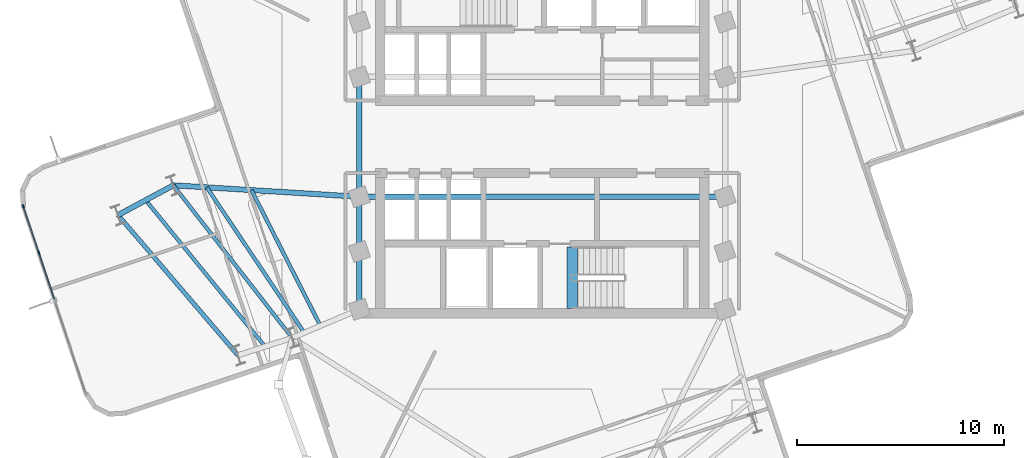
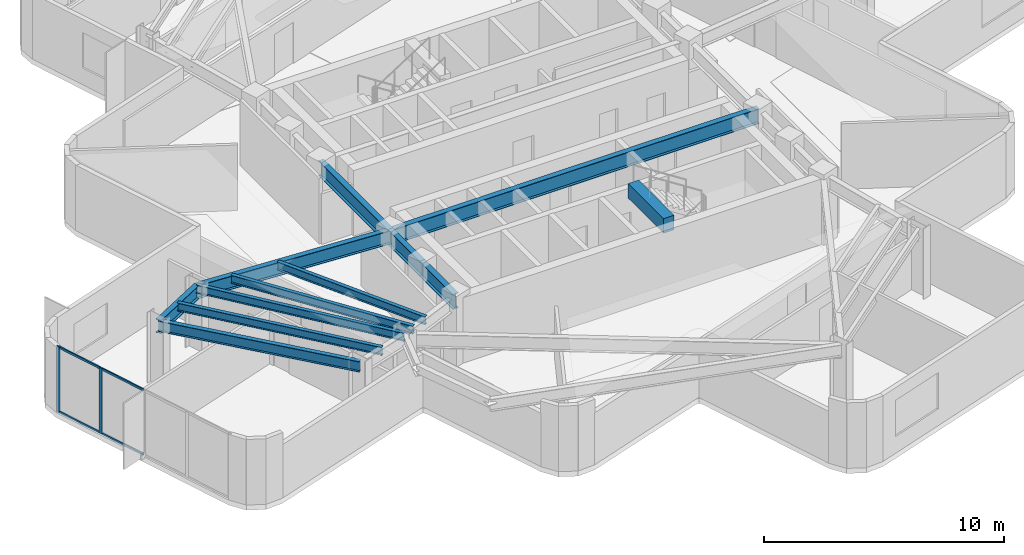
# One storey, part 3 of 12: 12 beams, 6 members, 1 element without a shape of its own.
"""IFC4 building model written with IfcOpenShell, lengths in metres."""

from ifc_helpers import new_model, si_unit, direction, frame, origin, origin_2d, place, context, subcontext, project, spatial, rectangle, i_section, extrude, material, layer, layer_set, material_profile, profile_set, type_object, element, aggregate, save


model = new_model("IFC4")

# Units and contexts
model_context = context("Model", 3, precision=1e-05, world=origin(), true_north=direction((0.0, 1.0)))
body_context = subcontext(model_context, "Body", "Model", "MODEL_VIEW")
ifc_project = project(units=[si_unit("LENGTHUNIT", "METRE"), si_unit("AREAUNIT", "SQUARE_METRE"), si_unit("VOLUMEUNIT", "CUBIC_METRE"), si_unit("PLANEANGLEUNIT", "RADIAN"), si_unit("MASSUNIT", "GRAM", prefix="KILO")], contexts=[model_context])

# Site, building, storey
site_placement = place(None, origin())
site = spatial("IfcSite", under=ifc_project, at=site_placement, CompositionType="ELEMENT")
building_placement = place(site_placement, origin())
building = spatial("IfcBuilding", under=site, at=building_placement, Name="Solmarez Civic Tower", CompositionType="ELEMENT")
storey_placement = place(building_placement, frame((0.0, 0.0, 163.080078125)))
storey = spatial("IfcBuildingStorey", under=building, at=storey_placement, Name="L43", CompositionType="ELEMENT", Elevation=163.080078125)

# Beams
ifc_material_1 = material(Name="Steel S355", Category="steel")
ifc_material_profile_1 = material_profile(ifc_material_1, i_section(OverallWidth=0.178955078125, OverallDepth=0.409912109375, WebThickness=0.0087890625, FlangeThickness=0.014404296875, at=origin_2d()), Name="W16X45")
ifc_profile_set_1 = profile_set([ifc_material_profile_1], Name="Steel S355")
beam_type_1 = type_object("IfcBeamType", Name="BM-JS-W16X45", PredefinedType="JOIST", material=ifc_profile_set_1)
beam_1_placement = place(storey_placement, frame((-17.85791015625, -2.345947265625, 3.135009765625), z_axis=(0.614476744631, -0.788934934141, 0.0), x_axis=(0.788934934141, 0.614476744631, 0.0)))
element("IfcBeam", 1, at=beam_1_placement, inside=storey, type_object=beam_type_1, Name="L43 Secondary Floor Joist BM-L43-WA-T1", PredefinedType="JOIST", context=body_context, shape_type="SweptSolid", body=[
    extrude(i_section(OverallWidth=0.178955078125, OverallDepth=0.409912109375, WebThickness=0.0087890625, FlangeThickness=0.014404296875, at=origin_2d()), origin(), (0.0, 0.0, 1.0), 9.36083984375),
])
beam_2_placement = place(storey_placement, frame((-19.197021484375, -3.06689453125, 3.135009765625), z_axis=(0.632062174253, -0.77491767813, 0.0), x_axis=(0.77491767813, 0.632062174253, 0.0)))
element("IfcBeam", 2, at=beam_2_placement, inside=storey, type_object=beam_type_1, Name="L43 Secondary Floor Joist JS-L43-WA-M2", PredefinedType="JOIST", context=body_context, shape_type="SweptSolid", body=[
    extrude(i_section(OverallWidth=0.178955078125, OverallDepth=0.409912109375, WebThickness=0.0087890625, FlangeThickness=0.014404296875, at=origin_2d()), origin(), (0.0, 0.0, 1.0), 9.14306640625),
])
beam_3_placement = place(storey_placement, frame((-14.074951171875, -2.5791015625, 3.135009765625), z_axis=(0.452743410654, -0.891640849282, 0.0), x_axis=(0.891640849282, 0.452743410654, 0.0)))
element("IfcBeam", 3, at=beam_3_placement, inside=storey, type_object=beam_type_1, Name="L43 Secondary Floor Joist JS-L43-WA-M11", PredefinedType="JOIST", context=body_context, shape_type="SweptSolid", body=[
    extrude(i_section(OverallWidth=0.178955078125, OverallDepth=0.409912109375, WebThickness=0.0087890625, FlangeThickness=0.014404296875, at=origin_2d()), origin(), (0.0, 0.0, 1.0), 7.370361328125),
])
beam_4_placement = place(storey_placement, frame((-16.237060546875, -2.446044921875, 3.135009765625), z_axis=(0.556859935783, -0.830606412159, 0.0), x_axis=(0.830606412159, 0.556859935783, 0.0)))
element("IfcBeam", 4, at=beam_4_placement, inside=storey, type_object=beam_type_1, Name="L43 Secondary Floor Joist JS-L43-WA-M12", PredefinedType="JOIST", context=body_context, shape_type="SweptSolid", body=[
    extrude(i_section(OverallWidth=0.178955078125, OverallDepth=0.409912109375, WebThickness=0.0087890625, FlangeThickness=0.014404296875, at=origin_2d()), origin(), (0.0, 0.0, 1.0), 8.470703125),
])
ifc_material_2 = material(Name="Concrete C50/60", Category="concrete")
ifc_material_profile_2 = material_profile(ifc_material_2, rectangle(XDim=0.5, YDim=0.75, at=origin_2d()), Name="RC500X750")
ifc_profile_set_2 = profile_set([ifc_material_profile_2], Name="Concrete C50/60")
beam_type_2 = type_object("IfcBeamType", Name="BM-PR-RC500X750", PredefinedType="BEAM", material=ifc_profile_set_2)
beam_5_placement = place(storey_placement, frame((1.449951171875, -8.300048828125, 3.23291015625), z_axis=(0.0, 1.0, 0.0), x_axis=(-1.0, 0.0, 0.0)))
element("IfcBeam", 5, at=beam_5_placement, inside=storey, type_object=beam_type_2, Name="L43 South Stair Threshold Beam", PredefinedType="BEAM", context=body_context, shape_type="SweptSolid", body=[
    extrude(rectangle(XDim=0.5, YDim=0.75, at=origin_2d()), origin(), (0.0, 0.0, 1.0), 2.9599609375),
])
ifc_material_profile_3 = material_profile(ifc_material_1, i_section(OverallWidth=0.25390625, OverallDepth=0.68798828125, WebThickness=0.01318359375, FlangeThickness=0.02099609375, at=origin_2d()), Name="W27X102")
ifc_profile_set_3 = profile_set([ifc_material_profile_3], Name="Steel S355")
beam_type_3 = type_object("IfcBeamType", Name="BM-PR-W27X102", PredefinedType="BEAM", material=ifc_profile_set_3)
beam_6_placement = place(storey_placement, frame((-8.85009765625, -2.89990234375, 2.995849609375), z_axis=(-0.998114395047, 0.061381221877, 0.0), x_axis=(-0.061381221877, -0.998114395047, 0.0)))
element("IfcBeam", 6, at=beam_6_placement, inside=storey, type_object=beam_type_3, Name="L43 Primary Floor Beam BM-L43-WA-R1A", PredefinedType="BEAM", context=body_context, shape_type="SweptSolid", body=[
    extrude(i_section(OverallWidth=0.25390625, OverallDepth=0.68798828125, WebThickness=0.01318359375, FlangeThickness=0.02099609375, at=origin_2d()), origin(), (0.0, 0.0, 1.0), 9.02490234375),
])
beam_7_placement = place(storey_placement, frame((-17.85791015625, -2.345947265625, 2.995849609375), z_axis=(-0.880378270924, -0.474272179329, 0.0), x_axis=(0.474272179329, -0.880378270924, 0.0)))
element("IfcBeam", 7, at=beam_7_placement, inside=storey, type_object=beam_type_3, Name="L43 Primary Floor Beam BM-L43-WA-R2A", PredefinedType="BEAM", context=body_context, shape_type="SweptSolid", body=[
    extrude(i_section(OverallWidth=0.25390625, OverallDepth=0.68798828125, WebThickness=0.01318359375, FlangeThickness=0.02099609375, at=origin_2d()), origin(), (0.0, 0.0, 1.0), 3.040771484375),
])
ifc_material_profile_4 = material_profile(ifc_material_1, i_section(OverallWidth=0.26708984375, OverallDepth=0.761962890625, WebThickness=0.014404296875, FlangeThickness=0.021484375, at=origin_2d()), Name="W30X116")
ifc_profile_set_4 = profile_set([ifc_material_profile_4], Name="Steel S355")
beam_type_4 = type_object("IfcBeamType", Name="BM-PR-W30X116", PredefinedType="BEAM", material=ifc_profile_set_4)
beam_8_placement = place(storey_placement, frame((-8.85009765625, -8.35009765625, 2.958984375), z_axis=(0.0, 1.0, 0.0), x_axis=(-1.0, 0.0, 0.0)))
element("IfcBeam", 8, at=beam_8_placement, inside=storey, type_object=beam_type_4, Name="L43 Primary Floor Beam BM-L43-HC12-HC1", PredefinedType="BEAM", context=body_context, shape_type="SweptSolid", body=[
    extrude(i_section(OverallWidth=0.26708984375, OverallDepth=0.761962890625, WebThickness=0.014404296875, FlangeThickness=0.021484375, at=origin_2d()), origin(), (0.0, 0.0, 1.0), 2.800048828125),
])
beam_9_placement = place(storey_placement, frame((-8.85009765625, -5.550048828125, 2.958984375), z_axis=(0.0, 1.0, 0.0), x_axis=(-1.0, 0.0, 0.0)))
element("IfcBeam", 9, at=beam_9_placement, inside=storey, type_object=beam_type_4, Name="L43 Primary Floor Beam BM-L43-HC1-HC2", PredefinedType="BEAM", context=body_context, shape_type="SweptSolid", body=[
    extrude(i_section(OverallWidth=0.26708984375, OverallDepth=0.761962890625, WebThickness=0.014404296875, FlangeThickness=0.021484375, at=origin_2d()), origin(), (0.0, 0.0, 1.0), 2.650146484375),
])
beam_10_placement = place(storey_placement, frame((-8.85009765625, -2.89990234375, 2.958984375), z_axis=(0.0, 1.0, 0.0), x_axis=(-1.0, 0.0, 0.0)))
element("IfcBeam", 10, at=beam_10_placement, inside=storey, type_object=beam_type_4, Name="L43 Primary Floor Beam BM-L43-HC2-HC3", PredefinedType="BEAM", context=body_context, shape_type="SweptSolid", body=[
    extrude(i_section(OverallWidth=0.26708984375, OverallDepth=0.761962890625, WebThickness=0.014404296875, FlangeThickness=0.021484375, at=origin_2d()), origin(), (0.0, 0.0, 1.0), 5.7998046875),
])
beam_11_placement = place(storey_placement, frame((-8.85009765625, -2.89990234375, 2.958984375), z_axis=(1.0, 0.0, 0.0), x_axis=(0.0, 1.0, 0.0)))
element("IfcBeam", 11, at=beam_11_placement, inside=storey, type_object=beam_type_4, Name="L43 Primary Floor Beam BM-L43-HC2-HC6", PredefinedType="BEAM", context=body_context, shape_type="SweptSolid", body=[
    extrude(i_section(OverallWidth=0.26708984375, OverallDepth=0.761962890625, WebThickness=0.014404296875, FlangeThickness=0.021484375, at=origin_2d()), origin(), (0.0, 0.0, 1.0), 17.7001953125),
])
ifc_material_profile_5 = material_profile(ifc_material_1, i_section(OverallWidth=0.2109375, OverallDepth=0.5390625, WebThickness=0.01171875, FlangeThickness=0.018798828125, at=origin_2d()), Name="W21X73")
ifc_profile_set_5 = profile_set([ifc_material_profile_5], Name="Steel S355")
beam_type_5 = type_object("IfcBeamType", Name="BM-SP-W21X73", PredefinedType="SPANDREL", material=ifc_profile_set_5)
beam_12_placement = place(storey_placement, frame((-20.534912109375, -3.7880859375, 3.06982421875), z_axis=(0.650036693718, -0.759902820642, 0.0), x_axis=(0.759902820642, 0.650036693718, 0.0)))
element("IfcBeam", 12, at=beam_12_placement, inside=storey, type_object=beam_type_5, Name="L43 Perimeter Spandrel Beam BM-L43-WA-T2", PredefinedType="SPANDREL", context=body_context, shape_type="SweptSolid", body=[
    extrude(i_section(OverallWidth=0.2109375, OverallDepth=0.5390625, WebThickness=0.01171875, FlangeThickness=0.018798828125, at=origin_2d()), origin(), (0.0, 0.0, 1.0), 8.9287109375),
])

# Curtain wall, members
ifc_material_3 = material(Name="Bronze Anodised Aluminium EN AW-6063 T6", Category="aluminium")
ifc_layer = layer(ifc_material_3, 0.175048828125)
ifc_layer_set = layer_set([ifc_layer], Name="Bronze Anodised Aluminium EN AW-6063 T6")
curtain_wall_type = type_object("IfcCurtainWallType", Name="CW-SYS-3", PredefinedType="NOTDEFINED", material=ifc_layer_set)
curtain_wall_placement = place(storey_placement, origin())
curtain_wall = element("IfcCurtainWall", 13, at=curtain_wall_placement, inside=storey, type_object=curtain_wall_type, Name="L43 Stick-Built Curtain Wall 1", PredefinedType="NOTDEFINED")
ifc_material_profile_6 = material_profile(ifc_material_3, rectangle(XDim=0.06494140625, YDim=0.1650390625, at=origin_2d()), Name="CWM-65X165")
ifc_profile_set_6 = profile_set([ifc_material_profile_6], Name="Bronze Anodised Aluminium EN AW-6063 T6")
member_type_1 = type_object("IfcMemberType", Name="CWM-TYPE-3", PredefinedType="MULLION", material=ifc_profile_set_6)
member_1_placement = place(storey_placement, frame((-24.36669921875, -5.6162109375, 0.0), z_axis=(0.0, 0.0, 1.0), x_axis=(-0.948329355688, -0.317287618953, 0.0)))
member_1 = element("IfcMember", 14, at=member_1_placement, type_object=member_type_1, Name="CWS3 mullion 4", PredefinedType="MULLION", context=body_context, shape_type="SweptSolid", body=[
    extrude(rectangle(XDim=0.06494140625, YDim=0.1650390625, at=origin_2d()), origin(), (0.0, 0.0, 1.0), 3.33984375),
])
member_2_placement = place(storey_placement, frame((-25.11962890625, -3.36572265625, 0.0), z_axis=(0.0, 0.0, 1.0), x_axis=(-0.948329355688, -0.317287618953, 0.0)))
member_2 = element("IfcMember", 15, at=member_2_placement, type_object=member_type_1, Name="CWS3 mullion 5", PredefinedType="MULLION", context=body_context, shape_type="SweptSolid", body=[
    extrude(rectangle(XDim=0.06494140625, YDim=0.1650390625, at=origin_2d()), origin(), (0.0, 0.0, 1.0), 3.33984375),
])
ifc_material_profile_7 = material_profile(ifc_material_3, rectangle(XDim=0.06005859375, YDim=0.110107421875, at=origin_2d()), Name="CWT-60X110")
ifc_profile_set_7 = profile_set([ifc_material_profile_7], Name="Bronze Anodised Aluminium EN AW-6063 T6")
member_type_2 = type_object("IfcMemberType", Name="CWT-TYPE-3", PredefinedType="USERDEFINED", material=ifc_profile_set_7)
member_3_placement = place(storey_placement, frame((-23.61376953125, -7.86669921875, 0.030029296875), z_axis=(-0.317291463593, 0.948328069357, 0.0), x_axis=(-0.948328069357, -0.317291463593, 0.0)))
member_3 = element("IfcMember", 16, at=member_3_placement, type_object=member_type_2, Name="CWS3 transom 3.1", ObjectType="TRANSOM", PredefinedType="USERDEFINED", context=body_context, shape_type="SweptSolid", body=[
    extrude(rectangle(XDim=0.06005859375, YDim=0.110107421875, at=origin_2d()), origin(), (0.0, 0.0, 1.0), 2.340576171875),
])
member_4_placement = place(storey_placement, frame((-23.61376953125, -7.86669921875, 3.309814453125), z_axis=(-0.317291463593, 0.948328069357, 0.0), x_axis=(-0.948328069357, -0.317291463593, 0.0)))
member_4 = element("IfcMember", 17, at=member_4_placement, type_object=member_type_2, Name="CWS3 transom 3.2", ObjectType="TRANSOM", PredefinedType="USERDEFINED", context=body_context, shape_type="SweptSolid", body=[
    extrude(rectangle(XDim=0.06005859375, YDim=0.110107421875, at=origin_2d()), origin(), (0.0, 0.0, 1.0), 2.340576171875),
])
member_5_placement = place(storey_placement, frame((-24.376953125, -5.58544921875, 0.030029296875), z_axis=(-0.317338233108, 0.948312419938, 0.0), x_axis=(-0.948312419938, -0.317338233108, 0.0)))
member_5 = element("IfcMember", 18, at=member_5_placement, type_object=member_type_2, Name="CWS3 transom 4.1", ObjectType="TRANSOM", PredefinedType="USERDEFINED", context=body_context, shape_type="SweptSolid", body=[
    extrude(rectangle(XDim=0.06005859375, YDim=0.110107421875, at=origin_2d()), origin(), (0.0, 0.0, 1.0), 2.30810546875),
])
member_6_placement = place(storey_placement, frame((-24.376953125, -5.58544921875, 3.309814453125), z_axis=(-0.317338233108, 0.948312419938, 0.0), x_axis=(-0.948312419938, -0.317338233108, 0.0)))
member_6 = element("IfcMember", 19, at=member_6_placement, type_object=member_type_2, Name="CWS3 transom 4.2", ObjectType="TRANSOM", PredefinedType="USERDEFINED", context=body_context, shape_type="SweptSolid", body=[
    extrude(rectangle(XDim=0.06005859375, YDim=0.110107421875, at=origin_2d()), origin(), (0.0, 0.0, 1.0), 2.30810546875),
])
aggregate(curtain_wall, [member_1, member_2, member_3, member_4, member_5, member_6])

save(model, "model.ifc")
